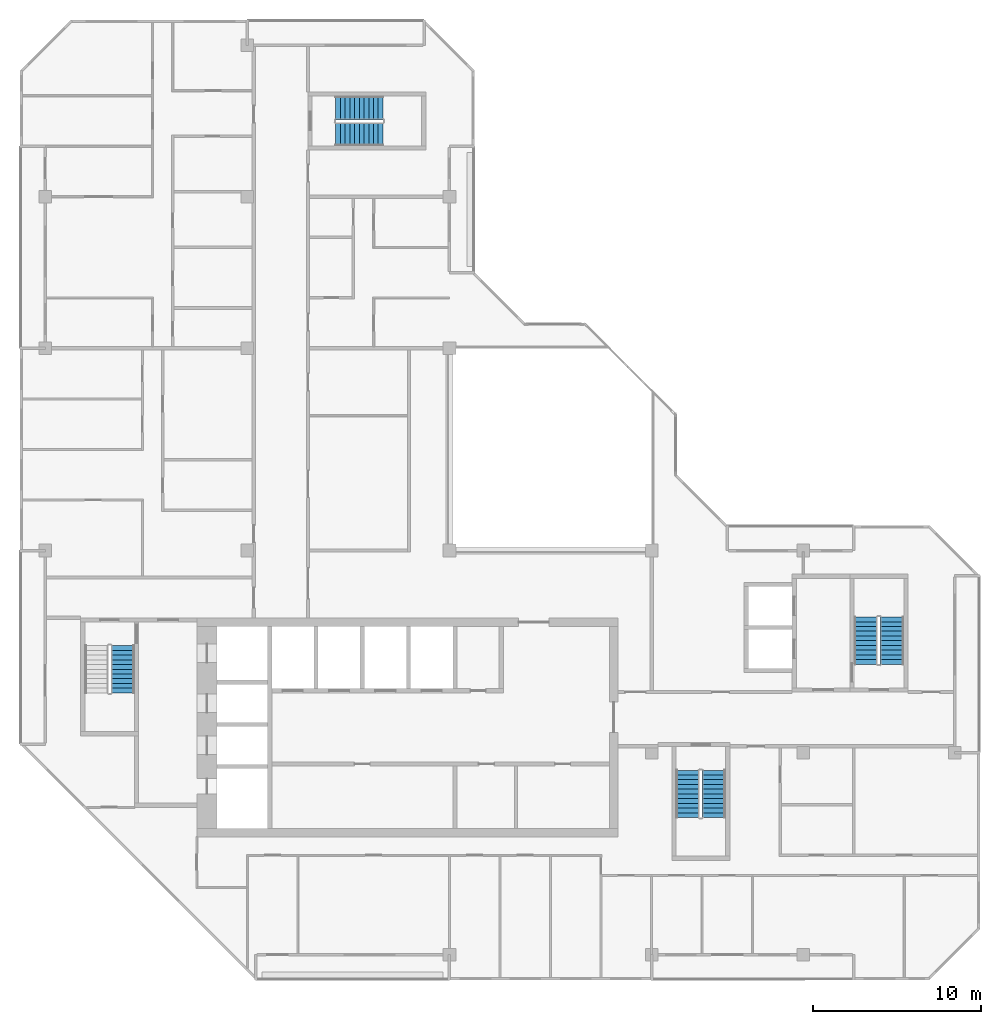
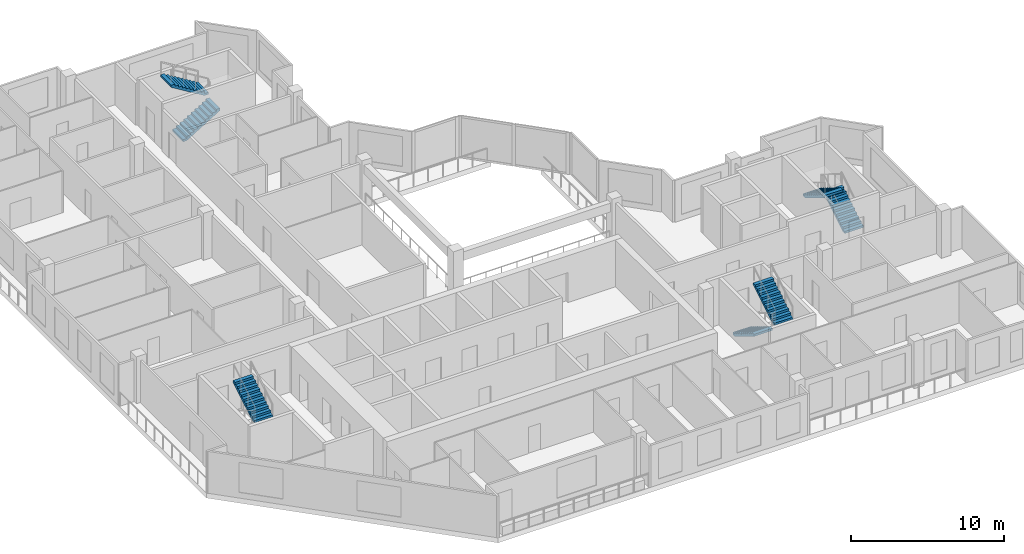
# One storey, part 10 of 12: 7 stair flights, 4 elements without a shape of their own.
"""IFC4 building model written with IfcOpenShell, lengths in metres."""

from ifc_helpers import new_model, si_unit, direction, frame, origin, place, context, subcontext, project, spatial, polyline, outline, extrude, material, type_object, element, aggregate, save


model = new_model("IFC4")

# Units and contexts
model_context = context("Model", 3, precision=1e-05, world=origin(), true_north=direction((0.0, 1.0)))
body_context = subcontext(model_context, "Body", "Model", "MODEL_VIEW")
ifc_project = project(units=[si_unit("LENGTHUNIT", "METRE"), si_unit("AREAUNIT", "SQUARE_METRE"), si_unit("VOLUMEUNIT", "CUBIC_METRE"), si_unit("PLANEANGLEUNIT", "RADIAN"), si_unit("MASSUNIT", "GRAM", prefix="KILO")], contexts=[model_context])

# Site, building, storey
site_placement = place(None, origin())
site = spatial("IfcSite", under=ifc_project, at=site_placement, CompositionType="ELEMENT")
building_placement = place(site_placement, origin())
building = spatial("IfcBuilding", under=site, at=building_placement, Name="Chenar Terraces", CompositionType="ELEMENT")
storey_placement = place(building_placement, frame((0.0, 0.0, 365.14990234375)))
storey = spatial("IfcBuildingStorey", under=building, at=storey_placement, Name="L85", CompositionType="ELEMENT", Elevation=365.14990234375)

# Stair, stair flight
ifc_material_1 = material(Name="Reinforced concrete C40/50", Category="concrete")
stair_type = type_object("IfcStairType", Name="Core stair 1400 half-turn", PredefinedType="HALF_TURN_STAIR", material=ifc_material_1)
placement = place(storey_placement, origin())
stair_1 = element("IfcStair", 1, at=placement, inside=storey, type_object=stair_type, Name="L85 Stair 1", PredefinedType="HALF_TURN_STAIR")
ifc_material_2 = material(Name="Reinforced concrete C40/50", Category="concrete")
stair_flight_type = type_object("IfcStairFlightType", Name="Core stair flight 1400", PredefinedType="STRAIGHT", material=ifc_material_2)
stair_flight_1_placement = place(storey_placement, frame((4.60009765625, 15.550048828125, 1.875), z_axis=(0.0, 0.0, 1.0), x_axis=(0.0, 1.0, 0.0)))
stair_flight_1 = element("IfcStairFlight", 2, at=stair_flight_1_placement, type_object=stair_flight_type, Name="ST1 flight 2", NumberOfRisers=11, NumberOfTreads=10, PredefinedType="STRAIGHT", RiserHeight=0.170454545, TreadLength=0.28, context=body_context, shape_type="SweptSolid", body=[
    extrude(outline(polyline([(-0.0029296875, 0.0), (-0.0029296875, 0.17041015625), (0.0, 0.17041015625), (0.280029296875, 0.17041015625), (0.280029296875, 0.3408203125), (0.56005859375, 0.3408203125), (0.56005859375, 0.511474609375), (0.840087890625, 0.511474609375), (0.840087890625, 0.681884765625), (1.1201171875, 0.681884765625), (1.1201171875, 0.852294921875), (1.39990234375, 0.852294921875), (1.39990234375, 1.022705078125), (1.679931640625, 1.022705078125), (1.679931640625, 1.193115234375), (1.9599609375, 1.193115234375), (1.9599609375, 1.363525390625), (2.239990234375, 1.363525390625), (2.239990234375, 1.5341796875), (2.52001953125, 1.5341796875), (2.52001953125, 1.70458984375), (2.800048828125, 1.70458984375), (2.802978515625, 1.70458984375), (2.802978515625, 1.529052734375), (2.800048828125, 1.529052734375), (0.288330078125, 0.0), (-0.0029296875, 0.0)])), frame((0.0, 0.699951171875, 0.0), z_axis=(0.0, -1.0, 0.0), x_axis=(1.0, 0.0, 0.0)), (0.0, 0.0, 1.0), 1.39990234375),
])
aggregate(stair_1, [stair_flight_1])

# Stair, stair flights
stair_2 = element("IfcStair", 3, at=placement, inside=storey, type_object=stair_type, Name="L85 Stair 2", PredefinedType="HALF_TURN_STAIR")
stair_flight_2_placement = place(storey_placement, frame((38.14990234375, 10.949951171875, 0.0), z_axis=(0.0, 0.0, 1.0), x_axis=(0.0, -1.0, 0.0)))
stair_flight_2 = element("IfcStairFlight", 4, at=stair_flight_2_placement, type_object=stair_flight_type, Name="ST2 flight 1", NumberOfRisers=11, NumberOfTreads=10, PredefinedType="STRAIGHT", RiserHeight=0.170454545, TreadLength=0.28, context=body_context, shape_type="SweptSolid", body=[
    extrude(outline(polyline([(-0.0029296875, 0.0), (-0.0029296875, 0.17041015625), (0.0, 0.17041015625), (0.280029296875, 0.17041015625), (0.280029296875, 0.3408203125), (0.56005859375, 0.3408203125), (0.56005859375, 0.511474609375), (0.840087890625, 0.511474609375), (0.840087890625, 0.681884765625), (1.1201171875, 0.681884765625), (1.1201171875, 0.852294921875), (1.39990234375, 0.852294921875), (1.39990234375, 1.022705078125), (1.679931640625, 1.022705078125), (1.679931640625, 1.193115234375), (1.9599609375, 1.193115234375), (1.9599609375, 1.363525390625), (2.239990234375, 1.363525390625), (2.239990234375, 1.5341796875), (2.52001953125, 1.5341796875), (2.52001953125, 1.70458984375), (2.800048828125, 1.70458984375), (2.802978515625, 1.70458984375), (2.802978515625, 1.529052734375), (2.800048828125, 1.529052734375), (0.288330078125, 0.0), (-0.0029296875, 0.0)])), frame((0.0, 0.699951171875, 0.0), z_axis=(0.0, -1.0, 0.0), x_axis=(1.0, 0.0, 0.0)), (0.0, 0.0, 1.0), 1.39990234375),
])
stair_flight_3_placement = place(storey_placement, frame((39.699951171875, 8.14990234375, 1.875), z_axis=(0.0, 0.0, 1.0), x_axis=(0.0, 1.0, 0.0)))
stair_flight_3 = element("IfcStairFlight", 5, at=stair_flight_3_placement, type_object=stair_flight_type, Name="ST2 flight 2", NumberOfRisers=11, NumberOfTreads=10, PredefinedType="STRAIGHT", RiserHeight=0.170454545, TreadLength=0.28, context=body_context, shape_type="SweptSolid", body=[
    extrude(outline(polyline([(-0.0029296875, 0.0), (-0.0029296875, 0.17041015625), (0.0, 0.17041015625), (0.280029296875, 0.17041015625), (0.280029296875, 0.3408203125), (0.56005859375, 0.3408203125), (0.56005859375, 0.511474609375), (0.840087890625, 0.511474609375), (0.840087890625, 0.681884765625), (1.1201171875, 0.681884765625), (1.1201171875, 0.852294921875), (1.39990234375, 0.852294921875), (1.39990234375, 1.022705078125), (1.679931640625, 1.022705078125), (1.679931640625, 1.193115234375), (1.9599609375, 1.193115234375), (1.9599609375, 1.363525390625), (2.239990234375, 1.363525390625), (2.239990234375, 1.5341796875), (2.52001953125, 1.5341796875), (2.52001953125, 1.70458984375), (2.800048828125, 1.70458984375), (2.802978515625, 1.70458984375), (2.802978515625, 1.529052734375), (2.800048828125, 1.529052734375), (0.288330078125, 0.0), (-0.0029296875, 0.0)])), frame((0.0, 0.699951171875, 0.0), z_axis=(0.0, -1.0, 0.0), x_axis=(1.0, 0.0, 0.0)), (0.0, 0.0, 1.0), 1.39990234375),
])
aggregate(stair_2, [stair_flight_2, stair_flight_3])

stair_3 = element("IfcStair", 6, at=placement, inside=storey, type_object=stair_type, Name="L85 Stair 3", PredefinedType="HALF_TURN_STAIR")
stair_flight_4_placement = place(storey_placement, frame((50.27490234375, 17.25, 0.0), z_axis=(0.0, 0.0, 1.0), x_axis=(0.0, 1.0, 0.0)))
stair_flight_4 = element("IfcStairFlight", 7, at=stair_flight_4_placement, type_object=stair_flight_type, Name="ST3 flight 1", NumberOfRisers=11, NumberOfTreads=10, PredefinedType="STRAIGHT", RiserHeight=0.170454545, TreadLength=0.28, context=body_context, shape_type="SweptSolid", body=[
    extrude(outline(polyline([(-0.0029296875, 0.0), (-0.0029296875, 0.17041015625), (0.0, 0.17041015625), (0.280029296875, 0.17041015625), (0.280029296875, 0.3408203125), (0.56005859375, 0.3408203125), (0.56005859375, 0.511474609375), (0.840087890625, 0.511474609375), (0.840087890625, 0.681884765625), (1.1201171875, 0.681884765625), (1.1201171875, 0.852294921875), (1.39990234375, 0.852294921875), (1.39990234375, 1.022705078125), (1.679931640625, 1.022705078125), (1.679931640625, 1.193115234375), (1.9599609375, 1.193115234375), (1.9599609375, 1.363525390625), (2.239990234375, 1.363525390625), (2.239990234375, 1.5341796875), (2.52001953125, 1.5341796875), (2.52001953125, 1.70458984375), (2.800048828125, 1.70458984375), (2.802978515625, 1.70458984375), (2.802978515625, 1.529052734375), (2.800048828125, 1.529052734375), (0.288330078125, 0.0), (-0.0029296875, 0.0)])), frame((0.0, 0.699951171875, 0.0), z_axis=(0.0, -1.0, 0.0), x_axis=(1.0, 0.0, 0.0)), (0.0, 0.0, 1.0), 1.39990234375),
])
stair_flight_5_placement = place(storey_placement, frame((48.72509765625, 20.050048828125, 1.875), z_axis=(0.0, 0.0, 1.0), x_axis=(0.0, -1.0, 0.0)))
stair_flight_5 = element("IfcStairFlight", 8, at=stair_flight_5_placement, type_object=stair_flight_type, Name="ST3 flight 2", NumberOfRisers=11, NumberOfTreads=10, PredefinedType="STRAIGHT", RiserHeight=0.170454545, TreadLength=0.28, context=body_context, shape_type="SweptSolid", body=[
    extrude(outline(polyline([(-0.0029296875, 0.0), (-0.0029296875, 0.17041015625), (0.0, 0.17041015625), (0.280029296875, 0.17041015625), (0.280029296875, 0.3408203125), (0.56005859375, 0.3408203125), (0.56005859375, 0.511474609375), (0.840087890625, 0.511474609375), (0.840087890625, 0.681884765625), (1.1201171875, 0.681884765625), (1.1201171875, 0.852294921875), (1.39990234375, 0.852294921875), (1.39990234375, 1.022705078125), (1.679931640625, 1.022705078125), (1.679931640625, 1.193115234375), (1.9599609375, 1.193115234375), (1.9599609375, 1.363525390625), (2.239990234375, 1.363525390625), (2.239990234375, 1.5341796875), (2.52001953125, 1.5341796875), (2.52001953125, 1.70458984375), (2.800048828125, 1.70458984375), (2.802978515625, 1.70458984375), (2.802978515625, 1.529052734375), (2.800048828125, 1.529052734375), (0.288330078125, 0.0), (-0.0029296875, 0.0)])), frame((0.0, 0.699951171875, 0.0), z_axis=(0.0, -1.0, 0.0), x_axis=(1.0, 0.0, 0.0)), (0.0, 0.0, 1.0), 1.39990234375),
])
aggregate(stair_3, [stair_flight_4, stair_flight_5])

stair_4 = element("IfcStair", 9, at=placement, inside=storey, type_object=stair_type, Name="L85 Stair 4", PredefinedType="HALF_TURN_STAIR")
stair_flight_6_placement = place(storey_placement, frame((17.25, 48.72509765625, 0.0), z_axis=(0.0, 0.0, 1.0), x_axis=(1.0, 0.0, 0.0)))
stair_flight_6 = element("IfcStairFlight", 10, at=stair_flight_6_placement, type_object=stair_flight_type, Name="ST4 flight 1", NumberOfRisers=11, NumberOfTreads=10, PredefinedType="STRAIGHT", RiserHeight=0.170454545, TreadLength=0.28, context=body_context, shape_type="SweptSolid", body=[
    extrude(outline(polyline([(-0.0029296875, 0.0), (-0.0029296875, 0.17041015625), (0.0, 0.17041015625), (0.280029296875, 0.17041015625), (0.280029296875, 0.3408203125), (0.56005859375, 0.3408203125), (0.56005859375, 0.511474609375), (0.840087890625, 0.511474609375), (0.840087890625, 0.681884765625), (1.1201171875, 0.681884765625), (1.1201171875, 0.852294921875), (1.39990234375, 0.852294921875), (1.39990234375, 1.022705078125), (1.679931640625, 1.022705078125), (1.679931640625, 1.193115234375), (1.9599609375, 1.193115234375), (1.9599609375, 1.363525390625), (2.239990234375, 1.363525390625), (2.239990234375, 1.5341796875), (2.52001953125, 1.5341796875), (2.52001953125, 1.70458984375), (2.800048828125, 1.70458984375), (2.802978515625, 1.70458984375), (2.802978515625, 1.529052734375), (2.800048828125, 1.529052734375), (0.288330078125, 0.0), (-0.0029296875, 0.0)])), frame((0.0, 0.699951171875, 0.0), z_axis=(0.0, -1.0, 0.0), x_axis=(1.0, 0.0, 0.0)), (0.0, 0.0, 1.0), 1.39990234375),
])
stair_flight_7_placement = place(storey_placement, frame((20.050048828125, 50.27490234375, 1.875), z_axis=(0.0, 0.0, 1.0), x_axis=(-1.0, 0.0, 0.0)))
stair_flight_7 = element("IfcStairFlight", 11, at=stair_flight_7_placement, type_object=stair_flight_type, Name="ST4 flight 2", NumberOfRisers=11, NumberOfTreads=10, PredefinedType="STRAIGHT", RiserHeight=0.170454545, TreadLength=0.28, context=body_context, shape_type="SweptSolid", body=[
    extrude(outline(polyline([(-0.0029296875, 0.0), (-0.0029296875, 0.17041015625), (0.0, 0.17041015625), (0.280029296875, 0.17041015625), (0.280029296875, 0.3408203125), (0.56005859375, 0.3408203125), (0.56005859375, 0.511474609375), (0.840087890625, 0.511474609375), (0.840087890625, 0.681884765625), (1.1201171875, 0.681884765625), (1.1201171875, 0.852294921875), (1.39990234375, 0.852294921875), (1.39990234375, 1.022705078125), (1.679931640625, 1.022705078125), (1.679931640625, 1.193115234375), (1.9599609375, 1.193115234375), (1.9599609375, 1.363525390625), (2.239990234375, 1.363525390625), (2.239990234375, 1.5341796875), (2.52001953125, 1.5341796875), (2.52001953125, 1.70458984375), (2.800048828125, 1.70458984375), (2.802978515625, 1.70458984375), (2.802978515625, 1.529052734375), (2.800048828125, 1.529052734375), (0.288330078125, 0.0), (-0.0029296875, 0.0)])), frame((0.0, 0.699951171875, 0.0), z_axis=(0.0, -1.0, 0.0), x_axis=(1.0, 0.0, 0.0)), (0.0, 0.0, 1.0), 1.39990234375),
])
aggregate(stair_4, [stair_flight_6, stair_flight_7])

save(model, "model.ifc")
